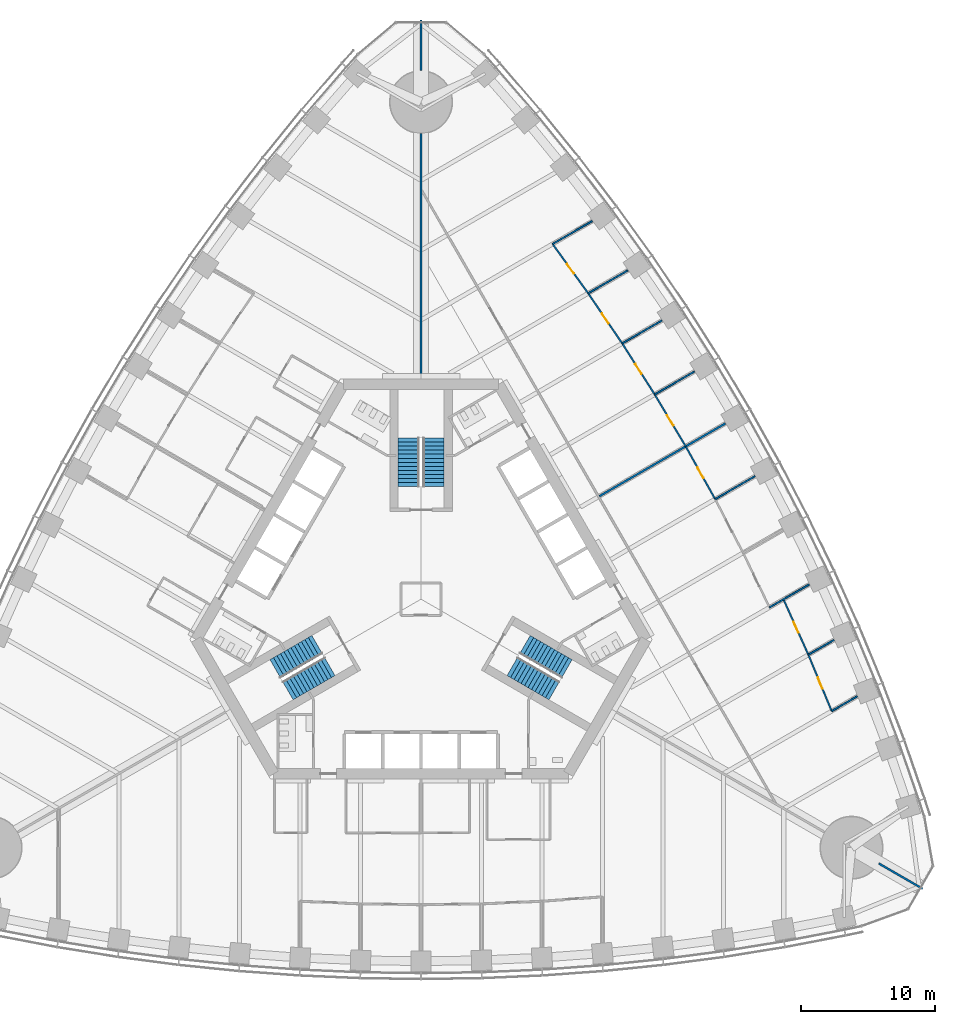
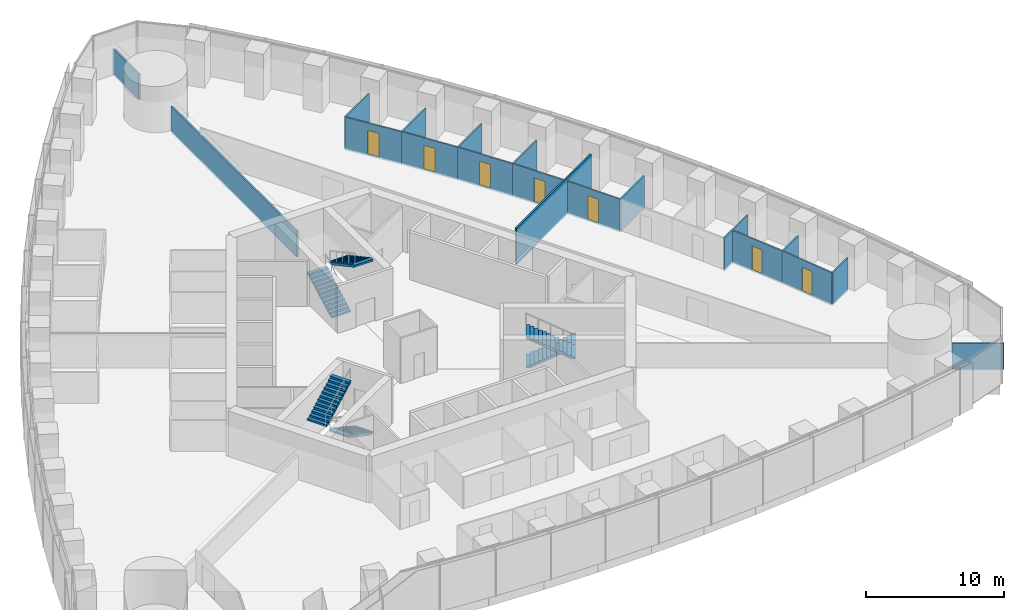
# One storey, part 13 of 18: 19 walls, 7 doors, 6 stair flights, 7 openings, 3 elements without a shape of their own.
"""IFC4 building model written with IfcOpenShell, lengths in metres."""

from ifc_helpers import new_model, si_unit, direction, frame, frame_2d, origin, place, context, subcontext, project, spatial, polyline, rectangle, outline, extrude, material, layer, layer_set, type_object, element, fill, aggregate, save


model = new_model("IFC4")

# Units and contexts
model_context = context("Model", 3, precision=1e-05, world=origin(), true_north=direction((0.0, 1.0)))
body_context = subcontext(model_context, "Body", "Model", "MODEL_VIEW")
ifc_project = project(units=[si_unit("LENGTHUNIT", "METRE"), si_unit("AREAUNIT", "SQUARE_METRE"), si_unit("VOLUMEUNIT", "CUBIC_METRE"), si_unit("PLANEANGLEUNIT", "RADIAN"), si_unit("MASSUNIT", "GRAM", prefix="KILO")], contexts=[model_context])

# Site, building, storey
site_placement = place(None, origin())
site = spatial("IfcSite", under=ifc_project, at=site_placement, CompositionType="ELEMENT")
building_placement = place(site_placement, origin())
building = spatial("IfcBuilding", under=site, at=building_placement, Name="Trefoil Bronze Tower", CompositionType="ELEMENT")
storey_placement = place(building_placement, frame((0.0, 0.0, 41.699951171875)))
storey = spatial("IfcBuildingStorey", under=building, at=storey_placement, Name="L09", CompositionType="ELEMENT", Elevation=41.699951171875)

# Wall, opening, door
ifc_material_1 = material(Name="Glazed partition", Category="glass")
ifc_layer_1 = layer(ifc_material_1, 0.1201171875)
ifc_layer_set_1 = layer_set([ifc_layer_1], Name="Glazed partition 120")
wall_type_1 = type_object("IfcWallType", Name="Glazed partition 120", PredefinedType="PARTITIONING", material=ifc_layer_set_1)
wall_1_placement = place(storey_placement, frame((19.700927734375, 11.374267578125, 0.0), z_axis=(0.0, 0.0, 1.0), x_axis=(-0.512483962191, 0.858696796604, 0.0)))
wall_1 = element("IfcWall", 1, at=wall_1_placement, inside=storey, type_object=wall_type_1, Name="Partition F2 L09", PredefinedType="PARTITIONING", context=body_context, shape_type="SweptSolid", body=[
    extrude(rectangle(XDim=4.50048828125, YDim=0.1201171875, at=frame_2d((2.250244140625, 0.0))), origin(), (0.0, 0.0, 1.0), 2.900146484375),
])
opening_1_placement = place(wall_1_placement, frame((1.800048828125, 0.0, 0.14990234375)))
opening_1 = element("IfcOpeningElement", 2, at=opening_1_placement, cuts=wall_1, Name="Opening D8", PredefinedType="OPENING", context=body_context, shape_type="SweptSolid", body=[
    extrude(rectangle(XDim=0.89990234375, YDim=2.10009765625, at=frame_2d((0.449951171875, 1.050048828125))), frame((0.0, 0.070068359375, 0.0), z_axis=(0.0, -1.0, 0.0), x_axis=(1.0, 0.0, 0.0)), (0.0, 0.0, 1.0), 0.14013671875),
])
ifc_material_2 = material(Name="Timber door", Category="wood")
door_type = type_object("IfcDoorType", Name="Office door 900", OperationType="SINGLE_SWING_LEFT", PredefinedType="DOOR", material=ifc_material_2)
door_1_placement = place(opening_1_placement, frame((0.89990234375, 0.0, 0.0), z_axis=(0.0, 0.0, 1.0), x_axis=(-1.0, 0.0, 0.0)))
door_1 = element("IfcDoor", 3, at=door_1_placement, inside=storey, type_object=door_type, Name="Office door F2 L09", OperationType="SINGLE_SWING_RIGHT", OverallHeight=2.10009765625, OverallWidth=0.89990234375, PredefinedType="DOOR", context=body_context, shape_type="SweptSolid", body=[
    extrude(rectangle(XDim=0.89990234375, YDim=2.10009765625, at=frame_2d((0.449951171875, 1.050048828125))), frame((0.0, 0.02490234375, 0.0), z_axis=(0.0, -1.0, 0.0), x_axis=(1.0, 0.0, 0.0)), (0.0, 0.0, 1.0), 0.050048828125),
])
fill(opening_1, door_1)

wall_2_placement = place(storey_placement, frame((12.441162109375, 22.771240234375, 0.0), z_axis=(0.0, 0.0, 1.0), x_axis=(-0.585376255171, 0.810761765183, 0.0)))
wall_2 = element("IfcWall", 4, at=wall_2_placement, inside=storey, type_object=wall_type_1, Name="Partition F2 L09", PredefinedType="PARTITIONING", context=body_context, shape_type="SweptSolid", body=[
    extrude(rectangle(XDim=4.5234375, YDim=0.1201171875, at=frame_2d((2.26171875, 0.0))), origin(), (0.0, 0.0, 1.0), 2.900146484375),
])
opening_2_placement = place(wall_2_placement, frame((1.800048828125, 0.0, 0.14990234375)))
opening_2 = element("IfcOpeningElement", 5, at=opening_2_placement, cuts=wall_2, Name="Opening D8", PredefinedType="OPENING", context=body_context, shape_type="SweptSolid", body=[
    extrude(rectangle(XDim=0.89990234375, YDim=2.10009765625, at=frame_2d((0.449951171875, 1.050048828125))), frame((0.0, 0.070068359375, 0.0), z_axis=(0.0, -1.0, 0.0), x_axis=(1.0, 0.0, 0.0)), (0.0, 0.0, 1.0), 0.14013671875),
])
door_2_placement = place(opening_2_placement, frame((0.89990234375, 0.0, 0.0), z_axis=(0.0, 0.0, 1.0), x_axis=(-1.0, 0.0, 0.0)))
door_2 = element("IfcDoor", 6, at=door_2_placement, inside=storey, type_object=door_type, Name="Office door F2 L09", OperationType="SINGLE_SWING_RIGHT", OverallHeight=2.10009765625, OverallWidth=0.89990234375, PredefinedType="DOOR", context=body_context, shape_type="SweptSolid", body=[
    extrude(rectangle(XDim=0.89990234375, YDim=2.10009765625, at=frame_2d((0.449951171875, 1.050048828125))), frame((0.0, 0.02490234375, 0.0), z_axis=(0.0, -1.0, 0.0), x_axis=(1.0, 0.0, 0.0)), (0.0, 0.0, 1.0), 0.050048828125),
])
fill(opening_2, door_2)

wall_3_placement = place(storey_placement, frame((17.39453125, 15.23876953125, 0.0), z_axis=(0.0, 0.0, 1.0), x_axis=(-0.537243691336, 0.843427066272, 0.0)))
wall_3 = element("IfcWall", 7, at=wall_3_placement, inside=storey, type_object=wall_type_1, Name="Partition F2 L09", PredefinedType="PARTITIONING", context=body_context, shape_type="SweptSolid", body=[
    extrude(rectangle(XDim=4.50439453125, YDim=0.1201171875, at=frame_2d((2.252197265625, 0.0))), origin(), (0.0, 0.0, 1.0), 2.900146484375),
])
opening_3_placement = place(wall_3_placement, frame((1.800048828125, 0.0, 0.14990234375)))
opening_3 = element("IfcOpeningElement", 8, at=opening_3_placement, cuts=wall_3, Name="Opening D8", PredefinedType="OPENING", context=body_context, shape_type="SweptSolid", body=[
    extrude(rectangle(XDim=0.89990234375, YDim=2.10009765625, at=frame_2d((0.449951171875, 1.050048828125))), frame((0.0, 0.070068359375, 0.0), z_axis=(0.0, -1.0, 0.0), x_axis=(1.0, 0.0, 0.0)), (0.0, 0.0, 1.0), 0.14013671875),
])
door_3_placement = place(opening_3_placement, frame((0.89990234375, 0.0, 0.0), z_axis=(0.0, 0.0, 1.0), x_axis=(-1.0, 0.0, 0.0)))
door_3 = element("IfcDoor", 9, at=door_3_placement, inside=storey, type_object=door_type, Name="Office door F2 L09", OperationType="SINGLE_SWING_RIGHT", OverallHeight=2.10009765625, OverallWidth=0.89990234375, PredefinedType="DOOR", context=body_context, shape_type="SweptSolid", body=[
    extrude(rectangle(XDim=0.89990234375, YDim=2.10009765625, at=frame_2d((0.449951171875, 1.050048828125))), frame((0.0, 0.02490234375, 0.0), z_axis=(0.0, -1.0, 0.0), x_axis=(1.0, 0.0, 0.0)), (0.0, 0.0, 1.0), 0.050048828125),
])
fill(opening_3, door_3)

wall_4_placement = place(storey_placement, frame((14.974609375, 19.037841796875, 0.0), z_axis=(0.0, 0.0, 1.0), x_axis=(-0.561512004239, 0.827468591002, 0.0)))
wall_4 = element("IfcWall", 10, at=wall_4_placement, inside=storey, type_object=wall_type_1, Name="Partition F2 L09", PredefinedType="PARTITIONING", context=body_context, shape_type="SweptSolid", body=[
    extrude(rectangle(XDim=4.51171875, YDim=0.1201171875, at=frame_2d((2.255859375, 0.0))), origin(), (0.0, 0.0, 1.0), 2.900146484375),
])
opening_4_placement = place(wall_4_placement, frame((1.800048828125, 0.0, 0.14990234375)))
opening_4 = element("IfcOpeningElement", 11, at=opening_4_placement, cuts=wall_4, Name="Opening D8", PredefinedType="OPENING", context=body_context, shape_type="SweptSolid", body=[
    extrude(rectangle(XDim=0.89990234375, YDim=2.10009765625, at=frame_2d((0.449951171875, 1.050048828125))), frame((0.0, 0.070068359375, 0.0), z_axis=(0.0, -1.0, 0.0), x_axis=(1.0, 0.0, 0.0)), (0.0, 0.0, 1.0), 0.14013671875),
])
door_4_placement = place(opening_4_placement, frame((0.89990234375, 0.0, 0.0), z_axis=(0.0, 0.0, 1.0), x_axis=(-1.0, 0.0, 0.0)))
door_4 = element("IfcDoor", 12, at=door_4_placement, inside=storey, type_object=door_type, Name="Office door F2 L09", OperationType="SINGLE_SWING_RIGHT", OverallHeight=2.10009765625, OverallWidth=0.89990234375, PredefinedType="DOOR", context=body_context, shape_type="SweptSolid", body=[
    extrude(rectangle(XDim=0.89990234375, YDim=2.10009765625, at=frame_2d((0.449951171875, 1.050048828125))), frame((0.0, 0.02490234375, 0.0), z_axis=(0.0, -1.0, 0.0), x_axis=(1.0, 0.0, 0.0)), (0.0, 0.0, 1.0), 0.050048828125),
])
fill(opening_4, door_4)

wall_5_placement = place(storey_placement, frame((28.83251953125, -4.13818359375, 0.0), z_axis=(0.0, 0.0, 1.0), x_axis=(-0.409430894151, 0.912341132973, 0.0)))
wall_5 = element("IfcWall", 13, at=wall_5_placement, inside=storey, type_object=wall_type_1, Name="Partition F2 L09", PredefinedType="PARTITIONING", context=body_context, shape_type="SweptSolid", body=[
    extrude(rectangle(XDim=4.5234375, YDim=0.1201171875, at=frame_2d((2.26171875, 0.0))), origin(), (0.0, 0.0, 1.0), 2.900146484375),
])
opening_5_placement = place(wall_5_placement, frame((1.800048828125, 0.0, 0.14990234375)))
opening_5 = element("IfcOpeningElement", 14, at=opening_5_placement, cuts=wall_5, Name="Opening D8", PredefinedType="OPENING", context=body_context, shape_type="SweptSolid", body=[
    extrude(rectangle(XDim=0.89990234375, YDim=2.10009765625, at=frame_2d((0.449951171875, 1.050048828125))), frame((0.0, 0.070068359375, 0.0), z_axis=(0.0, -1.0, 0.0), x_axis=(1.0, 0.0, 0.0)), (0.0, 0.0, 1.0), 0.14013671875),
])
door_5_placement = place(opening_5_placement, frame((0.89990234375, 0.0, 0.0), z_axis=(0.0, 0.0, 1.0), x_axis=(-1.0, 0.0, 0.0)))
door_5 = element("IfcDoor", 15, at=door_5_placement, inside=storey, type_object=door_type, Name="Pantry door F2 L09", OperationType="SINGLE_SWING_RIGHT", OverallHeight=2.10009765625, OverallWidth=0.89990234375, PredefinedType="DOOR", context=body_context, shape_type="SweptSolid", body=[
    extrude(rectangle(XDim=0.89990234375, YDim=2.10009765625, at=frame_2d((0.449951171875, 1.050048828125))), frame((0.0, 0.02490234375, 0.0), z_axis=(0.0, -1.0, 0.0), x_axis=(1.0, 0.0, 0.0)), (0.0, 0.0, 1.0), 0.050048828125),
])
fill(opening_5, door_5)

wall_6_placement = place(storey_placement, frame((30.5693359375, -8.33154296875, 0.0), z_axis=(0.0, 0.0, 1.0), x_axis=(-0.38265900014, 0.923889652292, 0.0)))
wall_6 = element("IfcWall", 16, at=wall_6_placement, inside=storey, type_object=wall_type_1, Name="Partition F2 L09", PredefinedType="PARTITIONING", context=body_context, shape_type="SweptSolid", body=[
    extrude(rectangle(XDim=4.538818359375, YDim=0.1201171875, at=frame_2d((2.26953125, 0.0))), origin(), (0.0, 0.0, 1.0), 2.900146484375),
])
opening_6_placement = place(wall_6_placement, frame((1.800048828125, 0.0, 0.14990234375)))
opening_6 = element("IfcOpeningElement", 17, at=opening_6_placement, cuts=wall_6, Name="Opening D8", PredefinedType="OPENING", context=body_context, shape_type="SweptSolid", body=[
    extrude(rectangle(XDim=0.89990234375, YDim=2.10009765625, at=frame_2d((0.449951171875, 1.050048828125))), frame((0.0, 0.070068359375, 0.0), z_axis=(0.0, -1.0, 0.0), x_axis=(1.0, 0.0, 0.0)), (0.0, 0.0, 1.0), 0.14013671875),
])
door_6_placement = place(opening_6_placement, frame((0.89990234375, 0.0, 0.0), z_axis=(0.0, 0.0, 1.0), x_axis=(-1.0, 0.0, 0.0)))
door_6 = element("IfcDoor", 18, at=door_6_placement, inside=storey, type_object=door_type, Name="Pantry door F2 L09", OperationType="SINGLE_SWING_RIGHT", OverallHeight=2.10009765625, OverallWidth=0.89990234375, PredefinedType="DOOR", context=body_context, shape_type="SweptSolid", body=[
    extrude(rectangle(XDim=0.89990234375, YDim=2.10009765625, at=frame_2d((0.449951171875, 1.050048828125))), frame((0.0, 0.02490234375, 0.0), z_axis=(0.0, -1.0, 0.0), x_axis=(1.0, 0.0, 0.0)), (0.0, 0.0, 1.0), 0.050048828125),
])
fill(opening_6, door_6)

wall_7_placement = place(storey_placement, frame((21.89453125, 7.444580078125, 0.0), z_axis=(0.0, 0.0, 1.0), x_axis=(-0.487415216275, 0.87317031955, 0.0)))
wall_7 = element("IfcWall", 19, at=wall_7_placement, inside=storey, type_object=wall_type_1, Name="Partition F2 L09", PredefinedType="PARTITIONING", context=body_context, shape_type="SweptSolid", body=[
    extrude(rectangle(XDim=4.50048828125, YDim=0.1201171875, at=frame_2d((2.250244140625, 0.0))), origin(), (0.0, 0.0, 1.0), 2.900146484375),
])
opening_7_placement = place(wall_7_placement, frame((1.800048828125, 0.0, 0.14990234375)))
opening_7 = element("IfcOpeningElement", 20, at=opening_7_placement, cuts=wall_7, Name="Opening D8", PredefinedType="OPENING", context=body_context, shape_type="SweptSolid", body=[
    extrude(rectangle(XDim=0.89990234375, YDim=2.10009765625, at=frame_2d((0.449951171875, 1.050048828125))), frame((0.0, 0.070068359375, 0.0), z_axis=(0.0, -1.0, 0.0), x_axis=(1.0, 0.0, 0.0)), (0.0, 0.0, 1.0), 0.14013671875),
])
door_7_placement = place(opening_7_placement, frame((0.89990234375, 0.0, 0.0), z_axis=(0.0, 0.0, 1.0), x_axis=(-1.0, 0.0, 0.0)))
door_7 = element("IfcDoor", 21, at=door_7_placement, inside=storey, type_object=door_type, Name="Office door F2 L09", OperationType="SINGLE_SWING_RIGHT", OverallHeight=2.10009765625, OverallWidth=0.89990234375, PredefinedType="DOOR", context=body_context, shape_type="SweptSolid", body=[
    extrude(rectangle(XDim=0.89990234375, YDim=2.10009765625, at=frame_2d((0.449951171875, 1.050048828125))), frame((0.0, 0.02490234375, 0.0), z_axis=(0.0, -1.0, 0.0), x_axis=(1.0, 0.0, 0.0)), (0.0, 0.0, 1.0), 0.050048828125),
])
fill(opening_7, door_7)

# Walls
wall_8_placement = place(storey_placement, frame((12.441162109375, 22.771240234375, 0.0), z_axis=(0.0, 0.0, 1.0), x_axis=(0.866016478054, 0.500015459501, 0.0)))
element("IfcWall", 22, at=wall_8_placement, inside=storey, type_object=wall_type_1, Name="Partition F2 L09", PredefinedType="PARTITIONING", context=body_context, shape_type="SweptSolid", body=[
    extrude(rectangle(XDim=3.4140625, YDim=0.1201171875, at=frame_2d((1.70703125, 0.0))), origin(), (0.0, 0.0, 1.0), 2.900146484375),
])
wall_9_placement = place(storey_placement, frame((9.793212890625, 26.438720703125, 0.0), z_axis=(0.0, 0.0, 1.0), x_axis=(0.866040105854, 0.499974534403, 0.0)))
element("IfcWall", 23, at=wall_9_placement, inside=storey, type_object=wall_type_1, Name="Partition F2 L09", PredefinedType="PARTITIONING", context=body_context, shape_type="SweptSolid", body=[
    extrude(rectangle(XDim=3.409423828125, YDim=0.1201171875, at=frame_2d((1.70458984375, 0.0))), origin(), (0.0, 0.0, 1.0), 2.900146484375),
])
wall_10_placement = place(storey_placement, frame((17.39453125, 15.23876953125, 0.0), z_axis=(0.0, 0.0, 1.0), x_axis=(0.866015553834, 0.500017060227, 0.0)))
element("IfcWall", 24, at=wall_10_placement, inside=storey, type_object=wall_type_1, Name="Partition F2 L09", PredefinedType="PARTITIONING", context=body_context, shape_type="SweptSolid", body=[
    extrude(rectangle(XDim=3.41943359375, YDim=0.1201171875, at=frame_2d((1.709716796875, 0.0))), origin(), (0.0, 0.0, 1.0), 2.900146484375),
])
wall_11_placement = place(storey_placement, frame((14.974609375, 19.037841796875, 0.0), z_axis=(0.0, 0.0, 1.0), x_axis=(0.866014265796, 0.500019291066, 0.0)))
element("IfcWall", 25, at=wall_11_placement, inside=storey, type_object=wall_type_1, Name="Partition F2 L09", PredefinedType="PARTITIONING", context=body_context, shape_type="SweptSolid", body=[
    extrude(rectangle(XDim=3.417236328125, YDim=0.1201171875, at=frame_2d((1.70849609375, 0.0))), origin(), (0.0, 0.0, 1.0), 2.900146484375),
])
wall_12_placement = place(storey_placement, frame((25.941162109375, -0.611328125, 0.0), z_axis=(0.0, 0.0, 1.0), x_axis=(0.866016478054, 0.500015459501, 0.0)))
element("IfcWall", 26, at=wall_12_placement, inside=storey, type_object=wall_type_1, Name="Partition F2 L09", PredefinedType="PARTITIONING", context=body_context, shape_type="SweptSolid", body=[
    extrude(rectangle(XDim=3.4140625, YDim=0.1201171875, at=frame_2d((1.70703125, 0.0))), origin(), (0.0, 0.0, 1.0), 2.900146484375),
])
wall_13_placement = place(storey_placement, frame((28.83251953125, -4.13818359375, 0.0), z_axis=(0.0, 0.0, 1.0), x_axis=(0.866010764432, 0.500025355245, 0.0)))
element("IfcWall", 27, at=wall_13_placement, inside=storey, type_object=wall_type_1, Name="Partition F2 L09", PredefinedType="PARTITIONING", context=body_context, shape_type="SweptSolid", body=[
    extrude(rectangle(XDim=2.20947265625, YDim=0.1201171875, at=frame_2d((1.104736328125, 0.0))), origin(), (0.0, 0.0, 1.0), 2.900146484375),
])
wall_14_placement = place(storey_placement, frame((30.5693359375, -8.33154296875, 0.0), z_axis=(0.0, 0.0, 1.0), x_axis=(0.86602503688, 0.500000635496, 0.0)))
element("IfcWall", 28, at=wall_14_placement, inside=storey, type_object=wall_type_1, Name="Partition F2 L09", PredefinedType="PARTITIONING", context=body_context, shape_type="SweptSolid", body=[
    extrude(rectangle(XDim=2.203125, YDim=0.1201171875, at=frame_2d((1.1015625, 0.0))), origin(), (0.0, 0.0, 1.0), 2.900146484375),
])
wall_15_placement = place(storey_placement, frame((21.89453125, 7.444580078125, 0.0), z_axis=(0.0, 0.0, 1.0), x_axis=(0.866015553834, 0.500017060227, 0.0)))
element("IfcWall", 29, at=wall_15_placement, inside=storey, type_object=wall_type_1, Name="Partition F2 L09", PredefinedType="PARTITIONING", context=body_context, shape_type="SweptSolid", body=[
    extrude(rectangle(XDim=3.41943359375, YDim=0.1201171875, at=frame_2d((1.709716796875, 0.0))), origin(), (0.0, 0.0, 1.0), 2.900146484375),
])
ifc_material_3 = material(Name="Gypsum board on steel studs", Category="steel")
ifc_layer_2 = layer(ifc_material_3, 0.14990234375)
ifc_layer_set_2 = layer_set([ifc_layer_2], Name="Party wall 150")
wall_type_2 = type_object("IfcWallType", Name="Party wall 150", PredefinedType="PARTITIONING", material=ifc_layer_set_2)
wall_16_placement = place(storey_placement, frame((34.078125, -19.675048828125, 0.0), z_axis=(0.0, 0.0, 1.0), x_axis=(0.866019247219, -0.500010663332, 0.0)))
element("IfcWall", 30, at=wall_16_placement, inside=storey, type_object=wall_type_2, Name="Party wall K1 L09", PredefinedType="PARTITIONING", context=body_context, shape_type="SweptSolid", body=[
    extrude(rectangle(XDim=3.76416015625, YDim=0.14990234375, at=frame_2d((1.882080078125, 0.0))), origin(), (0.0, 0.0, 1.0), 2.300048828125),
])
wall_17_placement = place(storey_placement, frame((0.0, 16.39990234375, 0.0), z_axis=(0.0, 0.0, 1.0), x_axis=(0.0, 1.0, 0.0)))
element("IfcWall", 31, at=wall_17_placement, inside=storey, type_object=wall_type_2, Name="Party wall K2 L09", PredefinedType="PARTITIONING", context=body_context, shape_type="SweptSolid", body=[
    extrude(rectangle(XDim=18.25, YDim=0.14990234375, at=frame_2d((9.125, 0.0))), origin(), (0.0, 0.0, 1.0), 2.300048828125),
])
wall_18_placement = place(storey_placement, frame((0.0, 39.35009765625, 0.0), z_axis=(0.0, 0.0, 1.0), x_axis=(0.0, 1.0, 0.0)))
element("IfcWall", 32, at=wall_18_placement, inside=storey, type_object=wall_type_2, Name="Party wall K2 L09", PredefinedType="PARTITIONING", context=body_context, shape_type="SweptSolid", body=[
    extrude(rectangle(XDim=3.763916015625, YDim=0.14990234375, at=frame_2d((1.8818359375, 0.0))), origin(), (0.0, 0.0, 1.0), 2.300048828125),
])
wall_19_placement = place(storey_placement, frame((13.267578125, 7.659912109375, 0.0), z_axis=(0.0, 0.0, 1.0), x_axis=(0.866017319748, 0.500014001701, 0.0)))
element("IfcWall", 33, at=wall_19_placement, inside=storey, type_object=wall_type_2, Name="Demising wall F2 L09", PredefinedType="PARTITIONING", context=body_context, shape_type="SweptSolid", body=[
    extrude(rectangle(XDim=10.848876953125, YDim=0.14990234375, at=frame_2d((5.42431640625, 0.0))), origin(), (0.0, 0.0, 1.0), 3.199951171875),
])

# Stair, stair flights
ifc_material_4 = material(Name="Precast concrete B80", Category="concrete")
stair_type = type_object("IfcStairType", Name="Exit stair 26 risers", PredefinedType="HALF_TURN_STAIR", material=ifc_material_4)
stair_1_placement = place(storey_placement, origin())
stair_1 = element("IfcStair", 34, at=stair_1_placement, inside=storey, type_object=stair_type, Name="Stair ST1 L09", PredefinedType="HALF_TURN_STAIR")
ifc_material_5 = material(Name="Precast concrete B80", Category="concrete")
stair_flight_type = type_object("IfcStairFlightType", Name="Stair flight 1600", PredefinedType="STRAIGHT", material=ifc_material_5)
stair_flight_1_placement = place(storey_placement, frame((7.728515625, -3.39404296875, 0.0), z_axis=(0.0, 0.0, 1.0), x_axis=(0.866025403784, -0.5, 0.0)))
stair_flight_1 = element("IfcStairFlight", 35, at=stair_flight_1_placement, type_object=stair_flight_type, Name="ST1 flight 1", NumberOfRisers=13, NumberOfTreads=12, PredefinedType="STRAIGHT", RiserHeight=0.161538462, TreadLength=0.3, context=body_context, shape_type="SweptSolid", body=[
    extrude(outline(polyline([(0.0, 0.0), (0.0, 0.16162109375), (0.300048828125, 0.16162109375), (0.300048828125, 0.322998046875), (0.60009765625, 0.322998046875), (0.60009765625, 0.484619140625), (0.89990234375, 0.484619140625), (0.89990234375, 0.646240234375), (1.199951171875, 0.646240234375), (1.199951171875, 0.8076171875), (1.5, 0.8076171875), (1.5, 0.96923828125), (1.800048828125, 0.96923828125), (1.800048828125, 1.130859375), (2.10009765625, 1.130859375), (2.10009765625, 1.292236328125), (2.39990234375, 1.292236328125), (2.39990234375, 1.453857421875), (2.699951171875, 1.453857421875), (2.699951171875, 1.615478515625), (3.0, 1.615478515625), (3.0, 1.77685546875), (3.300048828125, 1.77685546875), (3.300048828125, 1.9384765625), (3.60009765625, 1.9384765625), (3.60009765625, 2.10009765625), (3.60009765625, 1.768310546875), (0.316162109375, 0.0), (0.0, 0.0)])), frame((0.0, 0.800048828125, 0.0), z_axis=(0.0, -1.0, 0.0), x_axis=(1.0, 0.0, 0.0)), (0.0, 0.0, 1.0), 1.60009765625),
])
stair_flight_2_placement = place(storey_placement, frame((9.921142578125, -6.796142578125, 2.10009765625), z_axis=(0.0, 0.0, 1.0), x_axis=(-0.866025403784, 0.5, 0.0)))
stair_flight_2 = element("IfcStairFlight", 36, at=stair_flight_2_placement, type_object=stair_flight_type, Name="ST1 flight 2", NumberOfRisers=13, NumberOfTreads=12, PredefinedType="STRAIGHT", RiserHeight=0.161538462, TreadLength=0.3, context=body_context, shape_type="SweptSolid", body=[
    extrude(outline(polyline([(0.0, 0.0), (0.0, 0.16162109375), (0.300048828125, 0.16162109375), (0.300048828125, 0.322998046875), (0.60009765625, 0.322998046875), (0.60009765625, 0.484619140625), (0.89990234375, 0.484619140625), (0.89990234375, 0.646240234375), (1.199951171875, 0.646240234375), (1.199951171875, 0.8076171875), (1.5, 0.8076171875), (1.5, 0.96923828125), (1.800048828125, 0.96923828125), (1.800048828125, 1.130859375), (2.10009765625, 1.130859375), (2.10009765625, 1.292236328125), (2.39990234375, 1.292236328125), (2.39990234375, 1.453857421875), (2.699951171875, 1.453857421875), (2.699951171875, 1.615478515625), (3.0, 1.615478515625), (3.0, 1.77685546875), (3.300048828125, 1.77685546875), (3.300048828125, 1.9384765625), (3.60009765625, 1.9384765625), (3.60009765625, 2.10009765625), (3.60009765625, 1.768310546875), (0.316162109375, 0.0), (0.0, 0.0)])), frame((0.0, 0.800048828125, 0.0), z_axis=(0.0, -1.0, 0.0), x_axis=(1.0, 0.0, 0.0)), (0.0, 0.0, 1.0), 1.60009765625),
])
aggregate(stair_1, [stair_flight_1, stair_flight_2])

stair_2_placement = place(storey_placement, origin())
stair_2 = element("IfcStair", 37, at=stair_2_placement, inside=storey, type_object=stair_type, Name="Stair ST2 L09", PredefinedType="HALF_TURN_STAIR")
stair_flight_3_placement = place(storey_placement, frame((-0.925048828125, 8.389892578125, 0.0), z_axis=(0.0, 0.0, 1.0), x_axis=(0.0, 1.0, 0.0)))
stair_flight_3 = element("IfcStairFlight", 38, at=stair_flight_3_placement, type_object=stair_flight_type, Name="ST2 flight 1", NumberOfRisers=13, NumberOfTreads=12, PredefinedType="STRAIGHT", RiserHeight=0.161538462, TreadLength=0.3, context=body_context, shape_type="SweptSolid", body=[
    extrude(outline(polyline([(0.0, 0.0), (0.0, 0.16162109375), (0.300048828125, 0.16162109375), (0.300048828125, 0.322998046875), (0.60009765625, 0.322998046875), (0.60009765625, 0.484619140625), (0.89990234375, 0.484619140625), (0.89990234375, 0.646240234375), (1.199951171875, 0.646240234375), (1.199951171875, 0.8076171875), (1.5, 0.8076171875), (1.5, 0.96923828125), (1.800048828125, 0.96923828125), (1.800048828125, 1.130859375), (2.10009765625, 1.130859375), (2.10009765625, 1.292236328125), (2.39990234375, 1.292236328125), (2.39990234375, 1.453857421875), (2.699951171875, 1.453857421875), (2.699951171875, 1.615478515625), (3.0, 1.615478515625), (3.0, 1.77685546875), (3.300048828125, 1.77685546875), (3.300048828125, 1.9384765625), (3.60009765625, 1.9384765625), (3.60009765625, 2.10009765625), (3.60009765625, 1.768310546875), (0.316162109375, 0.0), (0.0, 0.0)])), frame((0.0, 0.800048828125, 0.0), z_axis=(0.0, -1.0, 0.0), x_axis=(1.0, 0.0, 0.0)), (0.0, 0.0, 1.0), 1.60009765625),
])
stair_flight_4_placement = place(storey_placement, frame((0.925048828125, 11.989990234375, 2.10009765625), z_axis=(0.0, 0.0, 1.0), x_axis=(0.0, -1.0, 0.0)))
stair_flight_4 = element("IfcStairFlight", 39, at=stair_flight_4_placement, type_object=stair_flight_type, Name="ST2 flight 2", NumberOfRisers=13, NumberOfTreads=12, PredefinedType="STRAIGHT", RiserHeight=0.161538462, TreadLength=0.3, context=body_context, shape_type="SweptSolid", body=[
    extrude(outline(polyline([(0.0, 0.0), (0.0, 0.16162109375), (0.300048828125, 0.16162109375), (0.300048828125, 0.322998046875), (0.60009765625, 0.322998046875), (0.60009765625, 0.484619140625), (0.89990234375, 0.484619140625), (0.89990234375, 0.646240234375), (1.199951171875, 0.646240234375), (1.199951171875, 0.8076171875), (1.5, 0.8076171875), (1.5, 0.96923828125), (1.800048828125, 0.96923828125), (1.800048828125, 1.130859375), (2.10009765625, 1.130859375), (2.10009765625, 1.292236328125), (2.39990234375, 1.292236328125), (2.39990234375, 1.453857421875), (2.699951171875, 1.453857421875), (2.699951171875, 1.615478515625), (3.0, 1.615478515625), (3.0, 1.77685546875), (3.300048828125, 1.77685546875), (3.300048828125, 1.9384765625), (3.60009765625, 1.9384765625), (3.60009765625, 2.10009765625), (3.60009765625, 1.768310546875), (0.316162109375, 0.0), (0.0, 0.0)])), frame((0.0, 0.800048828125, 0.0), z_axis=(0.0, -1.0, 0.0), x_axis=(1.0, 0.0, 0.0)), (0.0, 0.0, 1.0), 1.60009765625),
])
aggregate(stair_2, [stair_flight_3, stair_flight_4])

stair_3_placement = place(storey_placement, origin())
stair_3 = element("IfcStair", 40, at=stair_3_placement, inside=storey, type_object=stair_type, Name="Stair ST3 L09", PredefinedType="HALF_TURN_STAIR")
stair_flight_5_placement = place(storey_placement, frame((-6.803466796875, -4.99609375, 0.0), z_axis=(0.0, 0.0, 1.0), x_axis=(-0.866025403784, -0.5, 0.0)))
stair_flight_5 = element("IfcStairFlight", 41, at=stair_flight_5_placement, type_object=stair_flight_type, Name="ST3 flight 1", NumberOfRisers=13, NumberOfTreads=12, PredefinedType="STRAIGHT", RiserHeight=0.161538462, TreadLength=0.3, context=body_context, shape_type="SweptSolid", body=[
    extrude(outline(polyline([(0.0, 0.0), (0.0, 0.16162109375), (0.300048828125, 0.16162109375), (0.300048828125, 0.322998046875), (0.60009765625, 0.322998046875), (0.60009765625, 0.484619140625), (0.89990234375, 0.484619140625), (0.89990234375, 0.646240234375), (1.199951171875, 0.646240234375), (1.199951171875, 0.8076171875), (1.5, 0.8076171875), (1.5, 0.96923828125), (1.800048828125, 0.96923828125), (1.800048828125, 1.130859375), (2.10009765625, 1.130859375), (2.10009765625, 1.292236328125), (2.39990234375, 1.292236328125), (2.39990234375, 1.453857421875), (2.699951171875, 1.453857421875), (2.699951171875, 1.615478515625), (3.0, 1.615478515625), (3.0, 1.77685546875), (3.300048828125, 1.77685546875), (3.300048828125, 1.9384765625), (3.60009765625, 1.9384765625), (3.60009765625, 2.10009765625), (3.60009765625, 1.768310546875), (0.316162109375, 0.0), (0.0, 0.0)])), frame((0.0, 0.800048828125, 0.0), z_axis=(0.0, -1.0, 0.0), x_axis=(1.0, 0.0, 0.0)), (0.0, 0.0, 1.0), 1.60009765625),
])
stair_flight_6_placement = place(storey_placement, frame((-10.84619140625, -5.19384765625, 2.10009765625), z_axis=(0.0, 0.0, 1.0), x_axis=(0.866025403784, 0.5, 0.0)))
stair_flight_6 = element("IfcStairFlight", 42, at=stair_flight_6_placement, type_object=stair_flight_type, Name="ST3 flight 2", NumberOfRisers=13, NumberOfTreads=12, PredefinedType="STRAIGHT", RiserHeight=0.161538462, TreadLength=0.3, context=body_context, shape_type="SweptSolid", body=[
    extrude(outline(polyline([(0.0, 0.0), (0.0, 0.16162109375), (0.300048828125, 0.16162109375), (0.300048828125, 0.322998046875), (0.60009765625, 0.322998046875), (0.60009765625, 0.484619140625), (0.89990234375, 0.484619140625), (0.89990234375, 0.646240234375), (1.199951171875, 0.646240234375), (1.199951171875, 0.8076171875), (1.5, 0.8076171875), (1.5, 0.96923828125), (1.800048828125, 0.96923828125), (1.800048828125, 1.130859375), (2.10009765625, 1.130859375), (2.10009765625, 1.292236328125), (2.39990234375, 1.292236328125), (2.39990234375, 1.453857421875), (2.699951171875, 1.453857421875), (2.699951171875, 1.615478515625), (3.0, 1.615478515625), (3.0, 1.77685546875), (3.300048828125, 1.77685546875), (3.300048828125, 1.9384765625), (3.60009765625, 1.9384765625), (3.60009765625, 2.10009765625), (3.60009765625, 1.768310546875), (0.316162109375, 0.0), (0.0, 0.0)])), frame((0.0, 0.800048828125, 0.0), z_axis=(0.0, -1.0, 0.0), x_axis=(1.0, 0.0, 0.0)), (0.0, 0.0, 1.0), 1.60009765625),
])
aggregate(stair_3, [stair_flight_5, stair_flight_6])

save(model, "model.ifc")
